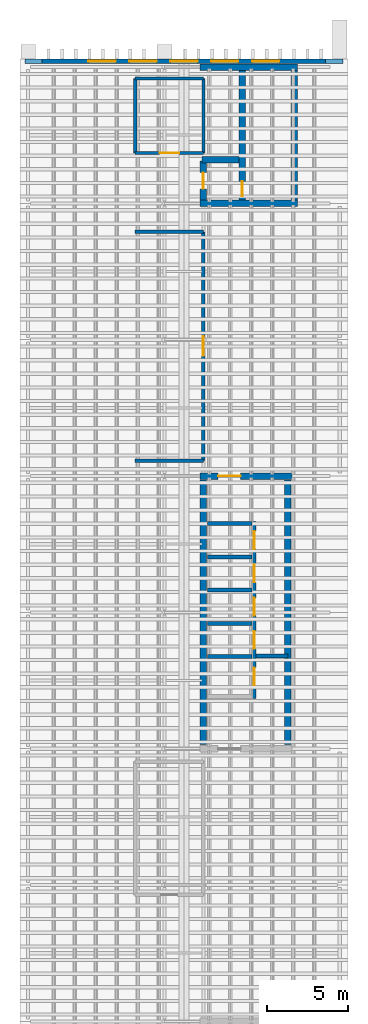
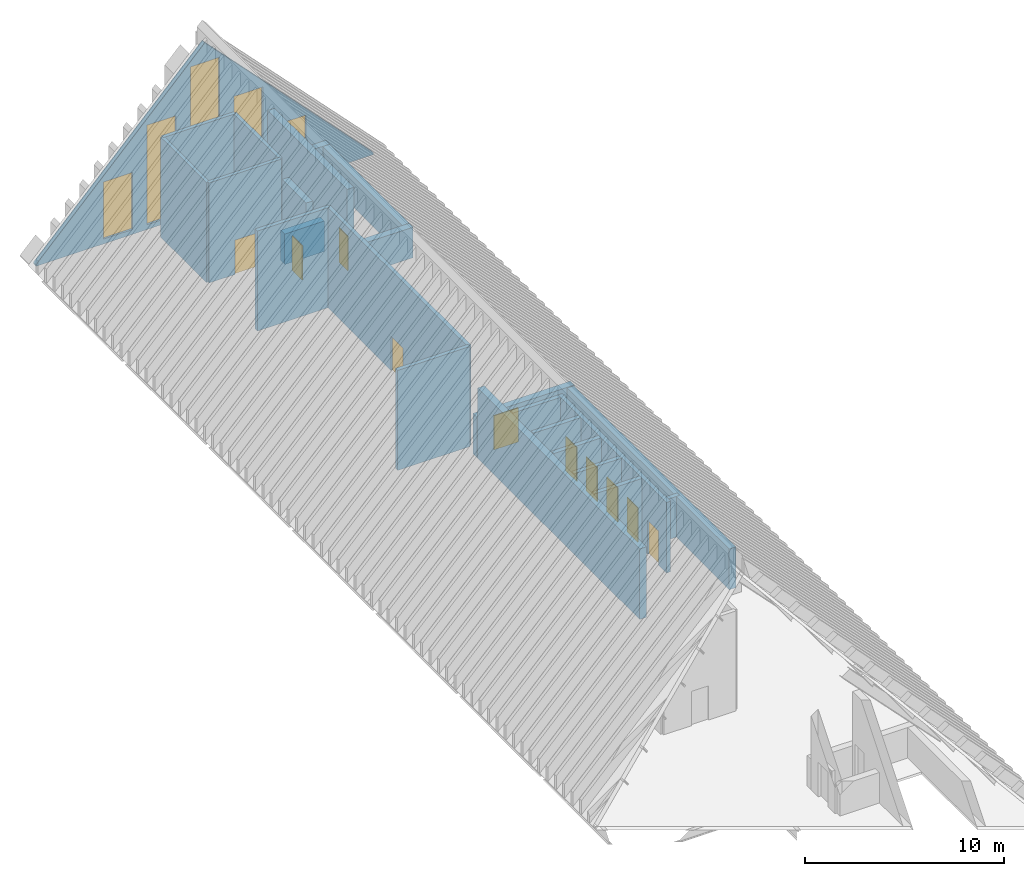
# One storey, part 4 of 6: 24 walls, 10 doors, 5 windows, 15 openings.
"""IFC4 building model written with IfcOpenShell, lengths in metres."""

from ifc_helpers import new_model, si_unit, direction, frame, frame_2d, origin, place, context, subcontext, project, spatial, polyline, rectangle, outline, extrude, material, layer, layer_set, type_object, element, fill, save


model = new_model("IFC4")

# Units and contexts
model_context = context("Model", 3, precision=1e-05, world=origin(), true_north=direction((0.0, 1.0)))
body_context = subcontext(model_context, "Body", "Model", "MODEL_VIEW")
ifc_project = project(units=[si_unit("LENGTHUNIT", "METRE"), si_unit("AREAUNIT", "SQUARE_METRE"), si_unit("VOLUMEUNIT", "CUBIC_METRE"), si_unit("PLANEANGLEUNIT", "RADIAN"), si_unit("MASSUNIT", "GRAM", prefix="KILO")], contexts=[model_context])

# Site, building, storey
site_placement = place(None, origin())
site = spatial("IfcSite", under=ifc_project, at=site_placement, CompositionType="ELEMENT")
building_placement = place(site_placement, origin())
building = spatial("IfcBuilding", under=site, at=building_placement, Name="Cresset Court Congress Hotel", CompositionType="ELEMENT")
storey_placement = place(building_placement, frame((0.0, 0.0, 64.800048828125)))
storey = spatial("IfcBuildingStorey", under=building, at=storey_placement, Name="L15", CompositionType="ELEMENT", Elevation=64.800048828125)

# Walls
ifc_material_1 = material(Name="Gypsum board partition")
ifc_layer_1 = layer(ifc_material_1, 0.22509765625)
ifc_layer_set_1 = layer_set([ifc_layer_1], Name="Boardroom acoustic wall 225")
wall_type_1 = type_object("IfcWallType", Name="Boardroom acoustic wall 225", PredefinedType="PARTITIONING", material=ifc_layer_set_1)
for number, where, z_axis, x_axis, name in (
    (1, (163.800048828125, 57.050048828125, 0.0), (0.0, 0.0, 1.0), (1.0, 0.0, 0.0), "A.wl.L15.005"),
    (2, (163.800048828125, 42.949951171875, 0.0), (0.0, 0.0, 1.0), (1.0, 0.0, 0.0), "A.wl.L15.006"),
):
    element("IfcWall", number, at=place(storey_placement, frame(where, z_axis=z_axis, x_axis=x_axis)), inside=storey, type_object=wall_type_1, Name=name, PredefinedType="PARTITIONING", context=body_context, shape_type="SweptSolid", body=[
        extrude(rectangle(XDim=4.199951171875, YDim=0.22509765625, at=frame_2d((2.10009765625, 0.0))), origin(), (0.0, 0.0, 1.0), 6.139892578125),
    ])

# Wall, opening, door
wall_1_placement = place(storey_placement, frame((168.0, 42.949951171875, 0.0), z_axis=(0.0, 0.0, 1.0), x_axis=(0.0, 1.0, 0.0)))
wall_1 = element("IfcWall", 3, at=wall_1_placement, inside=storey, type_object=wall_type_1, Name="A.wl.L15.007", PredefinedType="PARTITIONING", context=body_context, shape_type="SweptSolid", body=[
    extrude(rectangle(XDim=14.10009765625, YDim=0.22509765625, at=frame_2d((7.050048828125, 0.0))), origin(), (0.0, 0.0, 1.0), 6.139892578125),
])
opening_1_placement = place(wall_1_placement, frame((6.449951171875, 0.0, 0.0)))
opening_1 = element("IfcOpeningElement", 4, at=opening_1_placement, cuts=wall_1, Name="Opening DA-15-02", PredefinedType="OPENING", context=body_context, shape_type="SweptSolid", body=[
    extrude(rectangle(XDim=1.199951171875, YDim=2.10009765625, at=frame_2d((0.60009765625, 1.050048828125))), frame((0.0, 0.12255859375, 0.0), z_axis=(0.0, -1.0, 0.0), x_axis=(1.0, 0.0, 0.0)), (0.0, 0.0, 1.0), 0.2451171875),
])
ifc_material_2 = material(Name="timber", Category="wood")
door_type_1 = type_object("IfcDoorType", Name="Interior door 1200x2100", OperationType="SINGLE_SWING_LEFT", PredefinedType="DOOR", material=ifc_material_2)
door_1_placement = place(opening_1_placement, origin())
door_1 = element("IfcDoor", 5, at=door_1_placement, inside=storey, type_object=door_type_1, Name="Door DA-15-02", OperationType="SINGLE_SWING_LEFT", OverallHeight=2.10009765625, OverallWidth=1.199951171875, PredefinedType="DOOR", context=body_context, shape_type="SweptSolid", body=[
    extrude(rectangle(XDim=1.199951171875, YDim=2.10009765625, at=frame_2d((0.60009765625, 1.050048828125))), frame((0.0, 0.02490234375, 0.0), z_axis=(0.0, -1.0, 0.0), x_axis=(1.0, 0.0, 0.0)), (0.0, 0.0, 1.0), 0.050048828125),
])
fill(opening_1, door_1)

# Wall, openings, windows
ifc_material_3 = material(Name="Precast concrete C50", Category="concrete")
ifc_layer_2 = layer(ifc_material_3, 0.280029296875)
ifc_layer_set_2 = layer_set([ifc_layer_2], Name="Gable end wall 280")
wall_type_2 = type_object("IfcWallType", Name="Gable end wall 280", PredefinedType="SOLIDWALL", material=ifc_layer_set_2)
wall_2_placement = place(storey_placement, frame((157.0, 67.56005859375, 0.0), z_axis=(0.0, 0.0, 1.0), x_axis=(1.0, 0.0, 0.0)))
wall_2 = element("IfcWall", 6, at=wall_2_placement, inside=storey, type_object=wall_type_2, Name="A.ew.L15.N.1", PredefinedType="SOLIDWALL", context=body_context, shape_type="SweptSolid", body=[
    extrude(outline(polyline([(0.0, 0.0), (19.60009765625, 0.0), (19.60009765625, 0.091796875), (17.966796875, 1.789794921875), (16.333251953125, 3.48779296875), (14.699951171875, 5.185791015625), (13.066650390625, 6.884033203125), (11.433349609375, 8.58203125), (9.800048828125, 10.280029296875), (8.166748046875, 8.58203125), (6.533203125, 6.884033203125), (4.89990234375, 5.185791015625), (3.2666015625, 3.48779296875), (1.63330078125, 1.789794921875), (0.0, 0.091796875), (0.0, 0.0)])), frame((0.0, 0.14013671875, 0.0), z_axis=(0.0, -1.0, 0.0), x_axis=(1.0, 0.0, 0.0)), (0.0, 0.0, 1.0), 0.280029296875),
])
opening_2_placement = place(wall_2_placement, frame((3.919921875, 0.0, 0.300048828125)))
opening_2 = element("IfcOpeningElement", 7, at=opening_2_placement, cuts=wall_2, Name="Opening NA-15-06", PredefinedType="OPENING", context=body_context, shape_type="SweptSolid", body=[
    extrude(rectangle(XDim=1.679931640625, YDim=3.5, at=frame_2d((0.83984375, 1.75))), frame((0.0, 0.14990234375, 0.0), z_axis=(0.0, -1.0, 0.0), x_axis=(1.0, 0.0, 0.0)), (0.0, 0.0, 1.0), 0.300048828125),
])
opening_3_placement = place(wall_2_placement, frame((6.43994140625, 0.0, 0.300048828125)))
opening_3 = element("IfcOpeningElement", 8, at=opening_3_placement, cuts=wall_2, Name="Opening NA-15-07", PredefinedType="OPENING", context=body_context, shape_type="SweptSolid", body=[
    extrude(rectangle(XDim=1.679931640625, YDim=6.10009765625, at=frame_2d((0.83984375, 3.050048828125))), frame((0.0, 0.14990234375, 0.0), z_axis=(0.0, -1.0, 0.0), x_axis=(1.0, 0.0, 0.0)), (0.0, 0.0, 1.0), 0.300048828125),
])
opening_4_placement = place(wall_2_placement, frame((8.9599609375, 0.0, 0.300048828125)))
opening_4 = element("IfcOpeningElement", 9, at=opening_4_placement, cuts=wall_2, Name="Opening NA-15-08", PredefinedType="OPENING", context=body_context, shape_type="SweptSolid", body=[
    extrude(rectangle(XDim=1.679931640625, YDim=8.800048828125, at=frame_2d((0.83984375, 4.39990234375))), frame((0.0, 0.14990234375, 0.0), z_axis=(0.0, -1.0, 0.0), x_axis=(1.0, 0.0, 0.0)), (0.0, 0.0, 1.0), 0.300048828125),
])
opening_5_placement = place(wall_2_placement, frame((11.47998046875, 0.0, 0.300048828125)))
opening_5 = element("IfcOpeningElement", 10, at=opening_5_placement, cuts=wall_2, Name="Opening NA-15-09", PredefinedType="OPENING", context=body_context, shape_type="SweptSolid", body=[
    extrude(rectangle(XDim=1.679931640625, YDim=6.10009765625, at=frame_2d((0.83984375, 3.050048828125))), frame((0.0, 0.14990234375, 0.0), z_axis=(0.0, -1.0, 0.0), x_axis=(1.0, 0.0, 0.0)), (0.0, 0.0, 1.0), 0.300048828125),
])
opening_6_placement = place(wall_2_placement, frame((14.0, 0.0, 0.300048828125)))
opening_6 = element("IfcOpeningElement", 11, at=opening_6_placement, cuts=wall_2, Name="Opening NA-15-10", PredefinedType="OPENING", context=body_context, shape_type="SweptSolid", body=[
    extrude(rectangle(XDim=1.679931640625, YDim=3.5, at=frame_2d((0.83984375, 1.75))), frame((0.0, 0.14990234375, 0.0), z_axis=(0.0, -1.0, 0.0), x_axis=(1.0, 0.0, 0.0)), (0.0, 0.0, 1.0), 0.300048828125),
])
ifc_material_4 = material(Name="Aluminium and glass", Category="aluminium")
window_type_1 = type_object("IfcWindowType", Name="Window 1680x3500", PartitioningType="SINGLE_PANEL", PredefinedType="WINDOW", material=ifc_material_4)
window_1_placement = place(opening_2_placement, origin())
window_1 = element("IfcWindow", 12, at=window_1_placement, inside=storey, type_object=window_type_1, Name="Window NA-15-06", OverallHeight=3.5, OverallWidth=1.679931640625, PartitioningType="SINGLE_PANEL", PredefinedType="WINDOW", context=body_context, shape_type="SweptSolid", body=[
    extrude(rectangle(XDim=1.679931640625, YDim=3.5, at=frame_2d((0.83984375, 1.75))), frame((0.0, 0.030029296875, 0.0), z_axis=(0.0, -1.0, 0.0), x_axis=(1.0, 0.0, 0.0)), (0.0, 0.0, 1.0), 0.06005859375),
])
fill(opening_2, window_1)
window_2_placement = place(opening_6_placement, origin())
window_2 = element("IfcWindow", 13, at=window_2_placement, inside=storey, type_object=window_type_1, Name="Window NA-15-10", OverallHeight=3.5, OverallWidth=1.679931640625, PartitioningType="SINGLE_PANEL", PredefinedType="WINDOW", context=body_context, shape_type="SweptSolid", body=[
    extrude(rectangle(XDim=1.679931640625, YDim=3.5, at=frame_2d((0.83984375, 1.75))), frame((0.0, 0.030029296875, 0.0), z_axis=(0.0, -1.0, 0.0), x_axis=(1.0, 0.0, 0.0)), (0.0, 0.0, 1.0), 0.06005859375),
])
fill(opening_6, window_2)
ifc_material_5 = material(Name="Aluminium and glass", Category="aluminium")
window_type_2 = type_object("IfcWindowType", Name="Window 1680x6100", PartitioningType="SINGLE_PANEL", PredefinedType="WINDOW", material=ifc_material_5)
window_3_placement = place(opening_3_placement, origin())
window_3 = element("IfcWindow", 14, at=window_3_placement, inside=storey, type_object=window_type_2, Name="Window NA-15-07", OverallHeight=6.10009765625, OverallWidth=1.679931640625, PartitioningType="SINGLE_PANEL", PredefinedType="WINDOW", context=body_context, shape_type="SweptSolid", body=[
    extrude(rectangle(XDim=1.679931640625, YDim=6.10009765625, at=frame_2d((0.83984375, 3.050048828125))), frame((0.0, 0.030029296875, 0.0), z_axis=(0.0, -1.0, 0.0), x_axis=(1.0, 0.0, 0.0)), (0.0, 0.0, 1.0), 0.06005859375),
])
fill(opening_3, window_3)
window_4_placement = place(opening_5_placement, origin())
window_4 = element("IfcWindow", 15, at=window_4_placement, inside=storey, type_object=window_type_2, Name="Window NA-15-09", OverallHeight=6.10009765625, OverallWidth=1.679931640625, PartitioningType="SINGLE_PANEL", PredefinedType="WINDOW", context=body_context, shape_type="SweptSolid", body=[
    extrude(rectangle(XDim=1.679931640625, YDim=6.10009765625, at=frame_2d((0.83984375, 3.050048828125))), frame((0.0, 0.030029296875, 0.0), z_axis=(0.0, -1.0, 0.0), x_axis=(1.0, 0.0, 0.0)), (0.0, 0.0, 1.0), 0.06005859375),
])
fill(opening_5, window_4)
ifc_material_6 = material(Name="Aluminium and glass", Category="aluminium")
window_type_3 = type_object("IfcWindowType", Name="Window 1680x8800", PartitioningType="SINGLE_PANEL", PredefinedType="WINDOW", material=ifc_material_6)
window_5_placement = place(opening_4_placement, origin())
window_5 = element("IfcWindow", 16, at=window_5_placement, inside=storey, type_object=window_type_3, Name="Window NA-15-08", OverallHeight=8.800048828125, OverallWidth=1.679931640625, PartitioningType="SINGLE_PANEL", PredefinedType="WINDOW", context=body_context, shape_type="SweptSolid", body=[
    extrude(rectangle(XDim=1.679931640625, YDim=8.800048828125, at=frame_2d((0.83984375, 4.39990234375))), frame((0.0, 0.030029296875, 0.0), z_axis=(0.0, -1.0, 0.0), x_axis=(1.0, 0.0, 0.0)), (0.0, 0.0, 1.0), 0.06005859375),
])
fill(opening_4, window_5)

# Wall, opening, door
ifc_material_7 = material(Name="Concrete C50", Category="concrete")
ifc_layer_3 = layer(ifc_material_7, 0.39990234375)
ifc_layer_set_3 = layer_set([ifc_layer_3], Name="Lift core wall 400")
wall_type_3 = type_object("IfcWallType", Name="Lift core wall 400", PredefinedType="SOLIDWALL", material=ifc_layer_set_3)
wall_3_placement = place(storey_placement, frame((167.800048828125, 42.0, 0.0), z_axis=(0.0, 0.0, 1.0), x_axis=(1.0, 0.0, 0.0)))
wall_3 = element("IfcWall", 17, at=wall_3_placement, inside=storey, type_object=wall_type_3, Name="A.wl.L15.013", PredefinedType="SOLIDWALL", context=body_context, shape_type="SweptSolid", body=[
    extrude(rectangle(XDim=5.64990234375, YDim=0.39990234375, at=frame_2d((2.824951171875, 0.0))), origin(), (0.0, 0.0, 1.0), 2.4970703125),
])
opening_7_placement = place(wall_3_placement, frame((1.10009765625, 0.0, 0.0)))
opening_7 = element("IfcOpeningElement", 18, at=opening_7_placement, cuts=wall_3, Name="Opening DA-15-10", PredefinedType="OPENING", context=body_context, shape_type="SweptSolid", body=[
    extrude(rectangle(XDim=1.39990234375, YDim=2.10009765625, at=frame_2d((0.699951171875, 1.050048828125))), frame((0.0, 0.2099609375, 0.0), z_axis=(0.0, -1.0, 0.0), x_axis=(1.0, 0.0, 0.0)), (0.0, 0.0, 1.0), 0.419921875),
])
ifc_material_8 = material(Name="steel", Category="steel")
door_type_2 = type_object("IfcDoorType", Name="Lobby door 1400x2100 FD60", OperationType="DOUBLE_DOOR_DOUBLE_SWING", PredefinedType="DOOR", material=ifc_material_8)
door_2_placement = place(opening_7_placement, origin())
door_2 = element("IfcDoor", 19, at=door_2_placement, inside=storey, type_object=door_type_2, Name="Door DA-15-10", OperationType="DOUBLE_DOOR_DOUBLE_SWING", OverallHeight=2.10009765625, OverallWidth=1.39990234375, PredefinedType="DOOR", context=body_context, shape_type="SweptSolid", body=[
    extrude(rectangle(XDim=1.39990234375, YDim=2.10009765625, at=frame_2d((0.699951171875, 1.050048828125))), frame((0.0, 0.02490234375, 0.0), z_axis=(0.0, -1.0, 0.0), x_axis=(1.0, 0.0, 0.0)), (0.0, 0.0, 1.0), 0.050048828125),
])
fill(opening_7, door_2)

# Walls
wall_4_placement = place(storey_placement, frame((168.0, 25.449951171875, 0.0), z_axis=(0.0, 0.0, 1.0), x_axis=(0.0, 1.0, 0.0)))
element("IfcWall", 20, at=wall_4_placement, inside=storey, type_object=wall_type_3, Name="A.wl.L15.014", PredefinedType="SOLIDWALL", context=body_context, shape_type="SweptSolid", body=[
    extrude(rectangle(XDim=16.300048828125, YDim=0.39990234375, at=frame_2d((8.14990234375, 0.0))), origin(), (0.0, 0.0, 1.0), 4.323974609375),
])
wall_5_placement = place(storey_placement, frame((173.199951171875, 25.449951171875, 0.0), z_axis=(0.0, 0.0, 1.0), x_axis=(0.0, 1.0, 0.0)))
element("IfcWall", 21, at=wall_5_placement, inside=storey, type_object=wall_type_3, Name="A.wl.L15.015", PredefinedType="SOLIDWALL", context=body_context, shape_type="SweptSolid", body=[
    extrude(rectangle(XDim=16.300048828125, YDim=0.39990234375, at=frame_2d((8.14990234375, 0.0))), origin(), (0.0, 0.0, 1.0), 2.4970703125),
])
ifc_material_9 = material(Name="Concrete C50", Category="concrete")
ifc_layer_4 = layer(ifc_material_9, 0.25)
ifc_layer_set_4 = layer_set([ifc_layer_4], Name="Lift shaft wall 250")
wall_type_4 = type_object("IfcWallType", Name="Lift shaft wall 250", PredefinedType="SOLIDWALL", material=ifc_layer_set_4)
wall_6_placement = place(storey_placement, frame((171.25, 30.89990234375, 0.0), z_axis=(0.0, 0.0, 1.0), x_axis=(1.0, 0.0, 0.0)))
element("IfcWall", 22, at=wall_6_placement, inside=storey, type_object=wall_type_4, Name="A.wl.L15.016", PredefinedType="SOLIDWALL", context=body_context, shape_type="SweptSolid", body=[
    extrude(rectangle(XDim=1.949951171875, YDim=0.25, at=frame_2d((0.97509765625, 0.0))), origin(), (0.0, 0.0, 1.0), 2.4970703125),
])

# Wall, openings, doors
wall_7_placement = place(storey_placement, frame((171.125, 28.300048828125, 0.0), z_axis=(0.0, 0.0, 1.0), x_axis=(0.0, 1.0, 0.0)))
wall_7 = element("IfcWall", 23, at=wall_7_placement, inside=storey, type_object=wall_type_4, Name="A.wl.L15.017", PredefinedType="SOLIDWALL", context=body_context, shape_type="SweptSolid", body=[
    extrude(rectangle(XDim=10.89990234375, YDim=0.25, at=frame_2d((5.449951171875, 0.0))), origin(), (0.0, 0.0, 1.0), 4.323974609375),
])
opening_8_placement = place(wall_7_placement, frame((0.800048828125, 0.0, 0.0)))
opening_8 = element("IfcOpeningElement", 24, at=opening_8_placement, cuts=wall_7, Name="Opening LD-A1-15", PredefinedType="OPENING", context=body_context, shape_type="SweptSolid", body=[
    extrude(rectangle(XDim=1.10009765625, YDim=2.10009765625, at=frame_2d((0.550048828125, 1.050048828125))), frame((0.0, 0.135009765625, 0.0), z_axis=(0.0, -1.0, 0.0), x_axis=(1.0, 0.0, 0.0)), (0.0, 0.0, 1.0), 0.27001953125),
])
opening_9_placement = place(wall_7_placement, frame((3.050048828125, 0.0, 0.0)))
opening_9 = element("IfcOpeningElement", 25, at=opening_9_placement, cuts=wall_7, Name="Opening LD-A2-15", PredefinedType="OPENING", context=body_context, shape_type="SweptSolid", body=[
    extrude(rectangle(XDim=1.10009765625, YDim=2.10009765625, at=frame_2d((0.550048828125, 1.050048828125))), frame((0.0, 0.135009765625, 0.0), z_axis=(0.0, -1.0, 0.0), x_axis=(1.0, 0.0, 0.0)), (0.0, 0.0, 1.0), 0.27001953125),
])
opening_10_placement = place(wall_7_placement, frame((5.10009765625, 0.0, 0.0)))
opening_10 = element("IfcOpeningElement", 26, at=opening_10_placement, cuts=wall_7, Name="Opening LD-A3-15", PredefinedType="OPENING", context=body_context, shape_type="SweptSolid", body=[
    extrude(rectangle(XDim=1.10009765625, YDim=2.10009765625, at=frame_2d((0.550048828125, 1.050048828125))), frame((0.0, 0.135009765625, 0.0), z_axis=(0.0, -1.0, 0.0), x_axis=(1.0, 0.0, 0.0)), (0.0, 0.0, 1.0), 0.27001953125),
])
opening_11_placement = place(wall_7_placement, frame((7.14990234375, 0.0, 0.0)))
opening_11 = element("IfcOpeningElement", 27, at=opening_11_placement, cuts=wall_7, Name="Opening LD-A4-15", PredefinedType="OPENING", context=body_context, shape_type="SweptSolid", body=[
    extrude(rectangle(XDim=1.10009765625, YDim=2.10009765625, at=frame_2d((0.550048828125, 1.050048828125))), frame((0.0, 0.135009765625, 0.0), z_axis=(0.0, -1.0, 0.0), x_axis=(1.0, 0.0, 0.0)), (0.0, 0.0, 1.0), 0.27001953125),
])
opening_12_placement = place(wall_7_placement, frame((9.199951171875, 0.0, 0.0)))
opening_12 = element("IfcOpeningElement", 28, at=opening_12_placement, cuts=wall_7, Name="Opening LD-A5-15", PredefinedType="OPENING", context=body_context, shape_type="SweptSolid", body=[
    extrude(rectangle(XDim=1.10009765625, YDim=2.10009765625, at=frame_2d((0.550048828125, 1.050048828125))), frame((0.0, 0.135009765625, 0.0), z_axis=(0.0, -1.0, 0.0), x_axis=(1.0, 0.0, 0.0)), (0.0, 0.0, 1.0), 0.27001953125),
])
ifc_material_10 = material(Name="stainless steel", Category="steel")
door_type_3 = type_object("IfcDoorType", Name="Lift landing door 1100x2100 E 60", OperationType="SLIDING_TO_LEFT", PredefinedType="DOOR", material=ifc_material_10)
door_3_placement = place(opening_8_placement, origin())
door_3 = element("IfcDoor", 29, at=door_3_placement, inside=storey, type_object=door_type_3, Name="Lift landing door LD-A1-15", OperationType="SLIDING_TO_LEFT", OverallHeight=2.10009765625, OverallWidth=1.10009765625, PredefinedType="DOOR", context=body_context, shape_type="SweptSolid", body=[
    extrude(rectangle(XDim=1.10009765625, YDim=2.10009765625, at=frame_2d((0.550048828125, 1.050048828125))), frame((0.0, 0.02490234375, 0.0), z_axis=(0.0, -1.0, 0.0), x_axis=(1.0, 0.0, 0.0)), (0.0, 0.0, 1.0), 0.050048828125),
])
fill(opening_8, door_3)
door_4_placement = place(opening_9_placement, origin())
door_4 = element("IfcDoor", 30, at=door_4_placement, inside=storey, type_object=door_type_3, Name="Lift landing door LD-A2-15", OperationType="SLIDING_TO_LEFT", OverallHeight=2.10009765625, OverallWidth=1.10009765625, PredefinedType="DOOR", context=body_context, shape_type="SweptSolid", body=[
    extrude(rectangle(XDim=1.10009765625, YDim=2.10009765625, at=frame_2d((0.550048828125, 1.050048828125))), frame((0.0, 0.02490234375, 0.0), z_axis=(0.0, -1.0, 0.0), x_axis=(1.0, 0.0, 0.0)), (0.0, 0.0, 1.0), 0.050048828125),
])
fill(opening_9, door_4)
door_5_placement = place(opening_10_placement, origin())
door_5 = element("IfcDoor", 31, at=door_5_placement, inside=storey, type_object=door_type_3, Name="Lift landing door LD-A3-15", OperationType="SLIDING_TO_LEFT", OverallHeight=2.10009765625, OverallWidth=1.10009765625, PredefinedType="DOOR", context=body_context, shape_type="SweptSolid", body=[
    extrude(rectangle(XDim=1.10009765625, YDim=2.10009765625, at=frame_2d((0.550048828125, 1.050048828125))), frame((0.0, 0.02490234375, 0.0), z_axis=(0.0, -1.0, 0.0), x_axis=(1.0, 0.0, 0.0)), (0.0, 0.0, 1.0), 0.050048828125),
])
fill(opening_10, door_5)
door_6_placement = place(opening_11_placement, origin())
door_6 = element("IfcDoor", 32, at=door_6_placement, inside=storey, type_object=door_type_3, Name="Lift landing door LD-A4-15", OperationType="SLIDING_TO_LEFT", OverallHeight=2.10009765625, OverallWidth=1.10009765625, PredefinedType="DOOR", context=body_context, shape_type="SweptSolid", body=[
    extrude(rectangle(XDim=1.10009765625, YDim=2.10009765625, at=frame_2d((0.550048828125, 1.050048828125))), frame((0.0, 0.02490234375, 0.0), z_axis=(0.0, -1.0, 0.0), x_axis=(1.0, 0.0, 0.0)), (0.0, 0.0, 1.0), 0.050048828125),
])
fill(opening_11, door_6)
door_7_placement = place(opening_12_placement, origin())
door_7 = element("IfcDoor", 33, at=door_7_placement, inside=storey, type_object=door_type_3, Name="Lift landing door LD-A5-15", OperationType="SLIDING_TO_LEFT", OverallHeight=2.10009765625, OverallWidth=1.10009765625, PredefinedType="DOOR", context=body_context, shape_type="SweptSolid", body=[
    extrude(rectangle(XDim=1.10009765625, YDim=2.10009765625, at=frame_2d((0.550048828125, 1.050048828125))), frame((0.0, 0.02490234375, 0.0), z_axis=(0.0, -1.0, 0.0), x_axis=(1.0, 0.0, 0.0)), (0.0, 0.0, 1.0), 0.050048828125),
])
fill(opening_12, door_7)

# Walls
for number, where, z_axis, x_axis, name in (
    (34, (168.25, 30.875, 0.0), (0.0, 0.0, 1.0), (1.0, 0.0, 0.0), "A.wl.L15.019"),
    (35, (168.25, 32.925048828125, 0.0), (0.0, 0.0, 1.0), (1.0, 0.0, 0.0), "A.wl.L15.020"),
    (36, (168.25, 34.97509765625, 0.0), (0.0, 0.0, 1.0), (1.0, 0.0, 0.0), "A.wl.L15.021"),
    (37, (168.25, 37.02490234375, 0.0), (0.0, 0.0, 1.0), (1.0, 0.0, 0.0), "A.wl.L15.022"),
    (38, (168.25, 39.074951171875, 0.0), (0.0, 0.0, 1.0), (1.0, 0.0, 0.0), "A.wl.L15.023"),
):
    element("IfcWall", number, at=place(storey_placement, frame(where, z_axis=z_axis, x_axis=x_axis)), inside=storey, type_object=wall_type_4, Name=name, PredefinedType="SOLIDWALL", context=body_context, shape_type="SweptSolid", body=[
        extrude(rectangle(XDim=2.75, YDim=0.25, at=frame_2d((1.375, 0.0))), origin(), (0.0, 0.0, 1.0), 4.323974609375),
    ])

# Wall, opening, door
ifc_material_11 = material(Name="Concrete block wall", Category="concrete")
ifc_layer_5 = layer(ifc_material_11, 0.199951171875)
ifc_layer_set_5 = layer_set([ifc_layer_5], Name="Service room wall 200")
wall_type_5 = type_object("IfcWallType", Name="Service room wall 200", PredefinedType="PARTITIONING", material=ifc_layer_set_5)
wall_8_placement = place(storey_placement, frame((163.800048828125, 61.89990234375, 0.0), z_axis=(0.0, 0.0, 1.0), x_axis=(1.0, 0.0, 0.0)))
wall_8 = element("IfcWall", 39, at=wall_8_placement, inside=storey, type_object=wall_type_5, Name="A.wl.L15.008", PredefinedType="PARTITIONING", context=body_context, shape_type="SweptSolid", body=[
    extrude(rectangle(XDim=4.199951171875, YDim=0.199951171875, at=frame_2d((2.10009765625, 0.0))), origin(), (0.0, 0.0, 1.0), 6.139892578125),
])
opening_13_placement = place(wall_8_placement, frame((1.5, 0.0, 0.0)))
opening_13 = element("IfcOpeningElement", 40, at=opening_13_placement, cuts=wall_8, Name="Opening DA-15-03", PredefinedType="OPENING", context=body_context, shape_type="SweptSolid", body=[
    extrude(rectangle(XDim=1.199951171875, YDim=2.10009765625, at=frame_2d((0.60009765625, 1.050048828125))), frame((0.0, 0.10986328125, 0.0), z_axis=(0.0, -1.0, 0.0), x_axis=(1.0, 0.0, 0.0)), (0.0, 0.0, 1.0), 0.219970703125),
])
ifc_material_12 = material(Name="steel", Category="steel")
door_type_4 = type_object("IfcDoorType", Name="Plant room door 1200x2100 FD90", OperationType="SINGLE_SWING_LEFT", PredefinedType="DOOR", material=ifc_material_12)
door_8_placement = place(opening_13_placement, origin())
door_8 = element("IfcDoor", 41, at=door_8_placement, inside=storey, type_object=door_type_4, Name="Door DA-15-03", OperationType="SINGLE_SWING_LEFT", OverallHeight=2.10009765625, OverallWidth=1.199951171875, PredefinedType="DOOR", context=body_context, shape_type="SweptSolid", body=[
    extrude(rectangle(XDim=1.199951171875, YDim=2.10009765625, at=frame_2d((0.60009765625, 1.050048828125))), frame((0.0, 0.02490234375, 0.0), z_axis=(0.0, -1.0, 0.0), x_axis=(1.0, 0.0, 0.0)), (0.0, 0.0, 1.0), 0.050048828125),
])
fill(opening_13, door_8)

# Walls
wall_9_placement = place(storey_placement, frame((163.800048828125, 66.5, 0.0), z_axis=(0.0, 0.0, 1.0), x_axis=(1.0, 0.0, 0.0)))
element("IfcWall", 42, at=wall_9_placement, inside=storey, type_object=wall_type_5, Name="A.wl.L15.009", PredefinedType="PARTITIONING", context=body_context, shape_type="SweptSolid", body=[
    extrude(rectangle(XDim=4.199951171875, YDim=0.199951171875, at=frame_2d((2.10009765625, 0.0))), origin(), (0.0, 0.0, 1.0), 6.139892578125),
])
for number, where, z_axis, x_axis, name in (
    (43, (163.800048828125, 61.89990234375, 0.0), (0.0, 0.0, 1.0), (0.0, 1.0, 0.0), "A.wl.L15.010"),
    (44, (168.0, 61.89990234375, 0.0), (0.0, 0.0, 1.0), (0.0, 1.0, 0.0), "A.wl.L15.011"),
):
    element("IfcWall", number, at=place(storey_placement, frame(where, z_axis=z_axis, x_axis=x_axis)), inside=storey, type_object=wall_type_5, Name=name, PredefinedType="PARTITIONING", context=body_context, shape_type="SweptSolid", body=[
        extrude(rectangle(XDim=4.60009765625, YDim=0.199951171875, at=frame_2d((2.300048828125, 0.0))), origin(), (0.0, 0.0, 1.0), 6.139892578125),
    ])

# Wall, opening, door
ifc_material_13 = material(Name="Concrete C50", Category="concrete")
ifc_layer_6 = layer(ifc_material_13, 0.39990234375)
ifc_layer_set_6 = layer_set([ifc_layer_6], Name="Stair core wall 400")
wall_type_6 = type_object("IfcWallType", Name="Stair core wall 400", PredefinedType="SOLIDWALL", material=ifc_layer_set_6)
wall_10_placement = place(storey_placement, frame((170.39990234375, 59.0, 0.0), z_axis=(0.0, 0.0, 1.0), x_axis=(0.0, 1.0, 0.0)))
wall_10 = element("IfcWall", 45, at=wall_10_placement, inside=storey, type_object=wall_type_6, Name="A.wl.L15.030", PredefinedType="SOLIDWALL", context=body_context, shape_type="SweptSolid", body=[
    extrude(rectangle(XDim=8.0, YDim=0.39990234375, at=frame_2d((4.0, 0.0))), origin(), (0.0, 0.0, 1.0), 5.199951171875),
])
opening_14_placement = place(wall_10_placement, frame((0.25, 0.0, 0.0)))
opening_14 = element("IfcOpeningElement", 46, at=opening_14_placement, cuts=wall_10, Name="Opening DA-15-13", PredefinedType="OPENING", context=body_context, shape_type="SweptSolid", body=[
    extrude(rectangle(XDim=0.89990234375, YDim=2.10009765625, at=frame_2d((0.449951171875, 1.050048828125))), frame((0.0, 0.2099609375, 0.0), z_axis=(0.0, -1.0, 0.0), x_axis=(1.0, 0.0, 0.0)), (0.0, 0.0, 1.0), 0.419921875),
])
ifc_material_14 = material(Name="steel", Category="steel")
door_type_5 = type_object("IfcDoorType", Name="Stair door 900x2100 FD60", OperationType="SINGLE_SWING_LEFT", PredefinedType="DOOR", material=ifc_material_14)
door_9_placement = place(opening_14_placement, origin())
door_9 = element("IfcDoor", 47, at=door_9_placement, inside=storey, type_object=door_type_5, Name="Door DA-15-13", OperationType="SINGLE_SWING_RIGHT", OverallHeight=2.10009765625, OverallWidth=0.89990234375, PredefinedType="DOOR", context=body_context, shape_type="SweptSolid", body=[
    extrude(rectangle(XDim=0.89990234375, YDim=2.10009765625, at=frame_2d((0.449951171875, 1.050048828125))), frame((0.0, 0.02490234375, 0.0), z_axis=(0.0, -1.0, 0.0), x_axis=(1.0, 0.0, 0.0)), (0.0, 0.0, 1.0), 0.050048828125),
])
fill(opening_14, door_9)

# Walls
wall_11_placement = place(storey_placement, frame((173.60009765625, 59.0, 0.0), z_axis=(0.0, 0.0, 1.0), x_axis=(0.0, 1.0, 0.0)))
element("IfcWall", 48, at=wall_11_placement, inside=storey, type_object=wall_type_6, Name="A.wl.L15.031", PredefinedType="SOLIDWALL", context=body_context, shape_type="SweptSolid", body=[
    extrude(rectangle(XDim=8.0, YDim=0.39990234375, at=frame_2d((4.0, 0.0))), origin(), (0.0, 0.0, 1.0), 1.873046875),
])
for number, where, z_axis, x_axis, name in (
    (49, (167.800048828125, 67.199951171875, 0.0), (0.0, 0.0, 1.0), (1.0, 0.0, 0.0), "A.wl.L15.032"),
    (50, (167.800048828125, 58.800048828125, 0.0), (0.0, 0.0, 1.0), (1.0, 0.0, 0.0), "A.wl.L15.033"),
):
    element("IfcWall", number, at=place(storey_placement, frame(where, z_axis=z_axis, x_axis=x_axis)), inside=storey, type_object=wall_type_6, Name=name, PredefinedType="SOLIDWALL", context=body_context, shape_type="SweptSolid", body=[
        extrude(rectangle(XDim=6.0, YDim=0.39990234375, at=frame_2d((3.0, 0.0))), origin(), (0.0, 0.0, 1.0), 1.873046875),
    ])

# Wall, opening, door
wall_12_placement = place(storey_placement, frame((168.0, 59.0, 0.0), z_axis=(0.0, 0.0, 1.0), x_axis=(0.0, 1.0, 0.0)))
wall_12 = element("IfcWall", 51, at=wall_12_placement, inside=storey, type_object=wall_type_6, Name="A.wl.L15.034", PredefinedType="SOLIDWALL", context=body_context, shape_type="SweptSolid", body=[
    extrude(rectangle(XDim=2.39990234375, YDim=0.39990234375, at=frame_2d((1.199951171875, 0.0))), origin(), (0.0, 0.0, 1.0), 5.199951171875),
])
opening_15_placement = place(wall_12_placement, frame((0.699951171875, 0.0, 0.0)))
opening_15 = element("IfcOpeningElement", 52, at=opening_15_placement, cuts=wall_12, Name="Opening DA-15-14", PredefinedType="OPENING", context=body_context, shape_type="SweptSolid", body=[
    extrude(rectangle(XDim=1.0, YDim=2.10009765625, at=frame_2d((0.5, 1.050048828125))), frame((0.0, 0.2099609375, 0.0), z_axis=(0.0, -1.0, 0.0), x_axis=(1.0, 0.0, 0.0)), (0.0, 0.0, 1.0), 0.419921875),
])
ifc_material_15 = material(Name="steel", Category="steel")
door_type_6 = type_object("IfcDoorType", Name="Lobby door 1000x2100 FD60", OperationType="SINGLE_SWING_LEFT", PredefinedType="DOOR", material=ifc_material_15)
door_10_placement = place(opening_15_placement, origin())
door_10 = element("IfcDoor", 53, at=door_10_placement, inside=storey, type_object=door_type_6, Name="Door DA-15-14", OperationType="SINGLE_SWING_LEFT", OverallHeight=2.10009765625, OverallWidth=1.0, PredefinedType="DOOR", context=body_context, shape_type="SweptSolid", body=[
    extrude(rectangle(XDim=1.0, YDim=2.10009765625, at=frame_2d((0.5, 1.050048828125))), frame((0.0, 0.02490234375, 0.0), z_axis=(0.0, -1.0, 0.0), x_axis=(1.0, 0.0, 0.0)), (0.0, 0.0, 1.0), 0.050048828125),
])
fill(opening_15, door_10)

# Wall
wall_13_placement = place(storey_placement, frame((167.89990234375, 61.5, 0.0), z_axis=(0.0, 0.0, 1.0), x_axis=(1.0, 0.0, 0.0)))
element("IfcWall", 54, at=wall_13_placement, inside=storey, type_object=wall_type_6, Name="A.wl.L15.035", PredefinedType="SOLIDWALL", context=body_context, shape_type="SweptSolid", body=[
    extrude(rectangle(XDim=2.300048828125, YDim=0.39990234375, at=frame_2d((1.14990234375, 0.0))), origin(), (0.0, 0.0, 1.0), 1.873046875),
])

save(model, "model.ifc")
